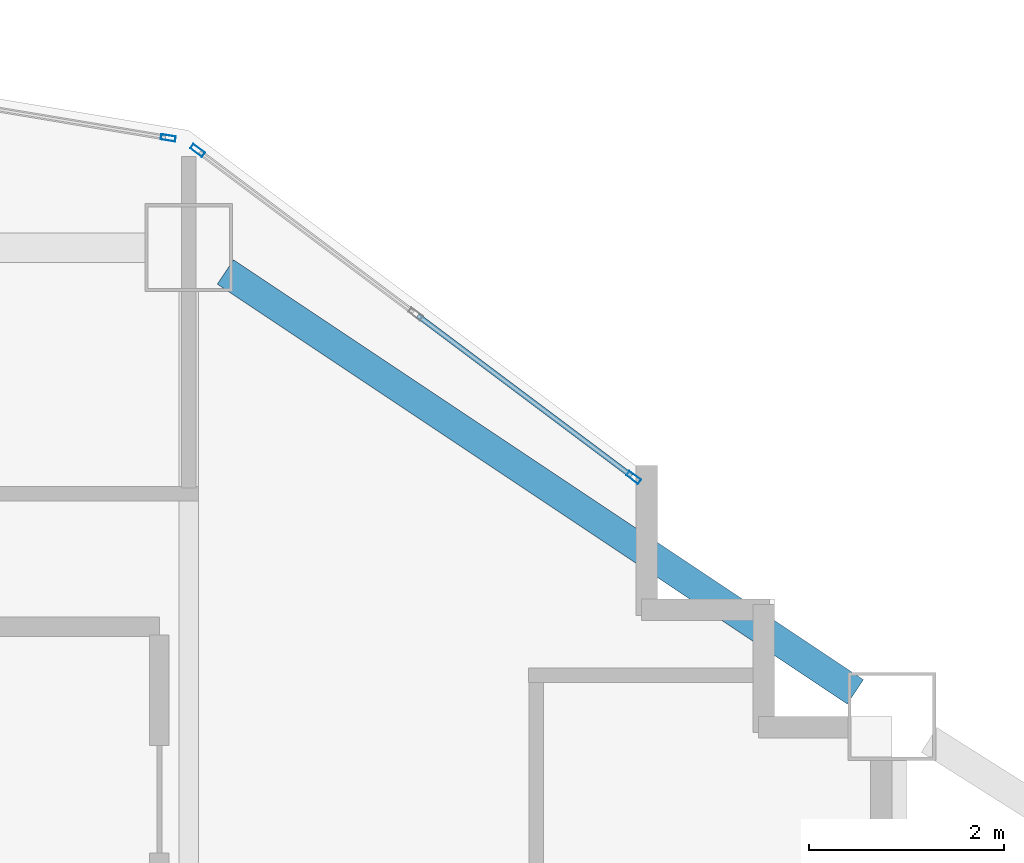
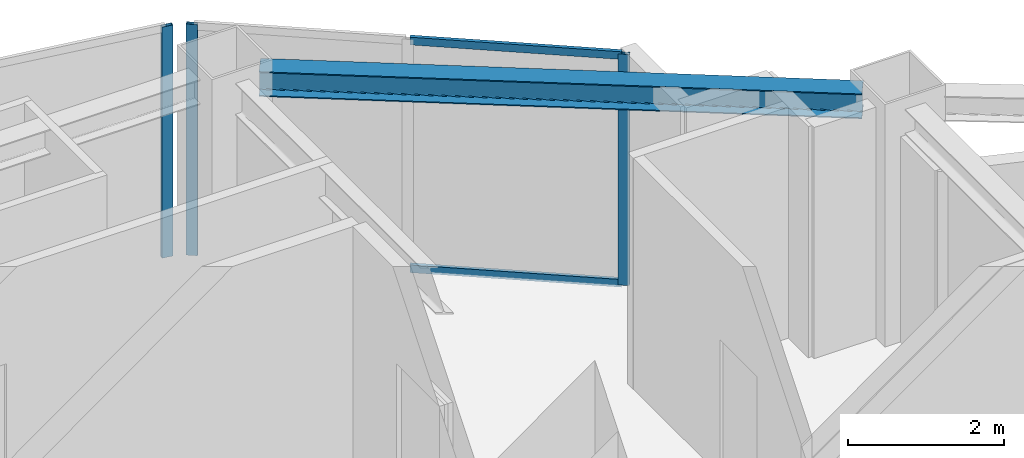
# One storey, part 3 of 11: 5 members, 1 beam, 2 elements without a shape of their own.
"""IFC4 building model written with IfcOpenShell, lengths in metres."""

from ifc_helpers import new_model, si_unit, direction, frame, origin, origin_2d, place, context, subcontext, project, spatial, hollow_rectangle, i_section, extrude, material, layer, layer_set, material_profile, profile_set, type_object, element, aggregate, save


model = new_model("IFC4")

# Units and contexts
model_context = context("Model", 3, precision=1e-05, world=origin(), true_north=direction((0.0, 1.0)))
body_context = subcontext(model_context, "Body", "Model", "MODEL_VIEW")
ifc_project = project(units=[si_unit("LENGTHUNIT", "METRE"), si_unit("AREAUNIT", "SQUARE_METRE"), si_unit("VOLUMEUNIT", "CUBIC_METRE"), si_unit("PLANEANGLEUNIT", "RADIAN"), si_unit("MASSUNIT", "GRAM", prefix="KILO")], contexts=[model_context])

# Site, building, storey
site_placement = place(None, origin())
site = spatial("IfcSite", under=ifc_project, at=site_placement, CompositionType="ELEMENT")
building_placement = place(site_placement, origin())
building = spatial("IfcBuilding", under=site, at=building_placement, Name="Haolan Belvedere Tower", CompositionType="ELEMENT")
storey_placement = place(building_placement, frame((0.0, 0.0, 215.39990234375)))
storey = spatial("IfcBuildingStorey", under=building, at=storey_placement, Name="L54", CompositionType="ELEMENT", Elevation=215.39990234375)

# Beam
ifc_material_1 = material(Name="Steel Q355B", Category="steel")
ifc_material_profile_1 = material_profile(ifc_material_1, i_section(OverallWidth=0.300048828125, OverallDepth=0.389892578125, WebThickness=0.010009765625, FlangeThickness=0.01611328125, FilletRadius=0.02197265625, at=origin_2d()), Name="Steel Q355B")
ifc_profile_set_1 = profile_set([ifc_material_profile_1], Name="Steel Q355B")
beam_type = type_object("IfcBeamType", Name="BM-HM390x300x10x16", PredefinedType="SPANDREL", material=ifc_profile_set_1)
beam_placement = place(storey_placement, frame((45.974365234375, 50.150390625, 3.425048828125), z_axis=(0.832050294338, -0.554700196225, 0.0), x_axis=(0.554700196225, 0.832050294338, 0.0)))
element("IfcBeam", 1, at=beam_placement, inside=storey, type_object=beam_type, Name="L54 spandrel girder MC-T3-N2-MC-T3-NE", PredefinedType="SPANDREL", context=body_context, shape_type="SweptSolid", body=[
    extrude(i_section(OverallWidth=0.300048828125, OverallDepth=0.389892578125, WebThickness=0.010009765625, FlangeThickness=0.01611328125, FilletRadius=0.02197265625, at=origin_2d()), origin(), (0.0, 0.0, 1.0), 7.75341796875),
])

# Curtain wall, members
ifc_material_2 = material(Name="Anodised champagne-silver aluminium 6063-T6 and Low-E glass", Category="aluminium")
ifc_layer = layer(ifc_material_2, 0.14990234375, Name="Anodised champagne-silver aluminium 6063-T6 and Low-E glass")
ifc_layer_set = layer_set([ifc_layer], Name="Anodised champagne-silver aluminium 6063-T6 and Low-E glass")
curtain_wall_type = type_object("IfcCurtainWallType", Name="CW-SYS-04", PredefinedType="NOTDEFINED", material=ifc_layer_set)
curtain_wall_1_placement = place(storey_placement, origin())
curtain_wall_1 = element("IfcCurtainWall", 2, at=curtain_wall_1_placement, inside=storey, type_object=curtain_wall_type, Name="L54 CW-SYS-04 ribbon curtain wall 20.1", PredefinedType="NOTDEFINED")
ifc_material_3 = material(Name="Anodised aluminium 6063-T6", Category="aluminium")
ifc_material_profile_2 = material_profile(ifc_material_3, hollow_rectangle(XDim=0.055908203125, YDim=0.14990234375, WallThickness=0.00390625, at=origin_2d()), Name="Anodised aluminium 6063-T6")
ifc_profile_set_2 = profile_set([ifc_material_profile_2], Name="Anodised aluminium 6063-T6")
member_type_1 = type_object("IfcMemberType", Name="CW-SYS-04-MUL", PredefinedType="MULLION", material=ifc_profile_set_2)
member_1_placement = place(storey_placement, frame((50.155517578125, 48.0458984375, 0.0), z_axis=(0.0, 0.0, 1.0), x_axis=(-0.600002837806, -0.799997871638, 0.0)))
member_1 = element("IfcMember", 3, at=member_1_placement, type_object=member_type_1, Name="CW-04 mullion 1", PredefinedType="MULLION", context=body_context, shape_type="SweptSolid", body=[
    extrude(hollow_rectangle(XDim=0.055908203125, YDim=0.14990234375, WallThickness=0.00390625, at=origin_2d()), origin(), (0.0, 0.0, 1.0), 3.6201171875),
])
member_2_placement = place(storey_placement, frame((45.68994140625, 51.39501953125, 0.0), z_axis=(0.0, 0.0, 1.0), x_axis=(-0.600002837806, -0.799997871638, 0.0)))
member_2 = element("IfcMember", 4, at=member_2_placement, type_object=member_type_1, Name="CW-04 mullion 3", PredefinedType="MULLION", context=body_context, shape_type="SweptSolid", body=[
    extrude(hollow_rectangle(XDim=0.055908203125, YDim=0.14990234375, WallThickness=0.00390625, at=origin_2d()), origin(), (0.0, 0.0, 1.0), 3.6201171875),
])

# Curtain wall, member
curtain_wall_2_placement = place(storey_placement, origin())
curtain_wall_2 = element("IfcCurtainWall", 5, at=curtain_wall_2_placement, inside=storey, type_object=curtain_wall_type, Name="L54 CW-SYS-04 ribbon curtain wall 21.1", PredefinedType="NOTDEFINED")
member_3_placement = place(storey_placement, frame((45.389892578125, 51.5234375, 0.0), z_axis=(0.0, 0.0, 1.0), x_axis=(-0.164405962825, -0.98639276122, 0.0)))
member_3 = element("IfcMember", 6, at=member_3_placement, type_object=member_type_1, Name="CW-04 mullion 1", PredefinedType="MULLION", context=body_context, shape_type="SweptSolid", body=[
    extrude(hollow_rectangle(XDim=0.055908203125, YDim=0.14990234375, WallThickness=0.00390625, at=origin_2d()), origin(), (0.0, 0.0, 1.0), 3.6201171875),
])
aggregate(curtain_wall_2, [member_3])

# Member
ifc_material_profile_3 = material_profile(ifc_material_3, hollow_rectangle(XDim=0.052001953125, YDim=0.1201171875, WallThickness=0.00390625, at=origin_2d()), Name="Anodised aluminium 6063-T6")
ifc_profile_set_3 = profile_set([ifc_material_profile_3], Name="Anodised aluminium 6063-T6")
member_type_2 = type_object("IfcMemberType", Name="CW-SYS-04-TRN", PredefinedType="USERDEFINED", material=ifc_profile_set_3)
member_4_placement = place(storey_placement, frame((50.13330078125, 48.0625, 0.026123046875), z_axis=(-0.800010710715, 0.59998571878, 0.0), x_axis=(-0.59998571878, -0.800010710715, 0.0)))
member_4 = element("IfcMember", 7, at=member_4_placement, type_object=member_type_2, Name="CW-04 transom 1.1", ObjectType="TRANSOM", PredefinedType="USERDEFINED", context=body_context, shape_type="SweptSolid", body=[
    extrude(hollow_rectangle(XDim=0.052001953125, YDim=0.1201171875, WallThickness=0.00390625, at=origin_2d()), origin(), (0.0, 0.0, 1.0), 2.7353515625),
])

member_5_placement = place(storey_placement, frame((50.13330078125, 48.0625, 3.593994140625), z_axis=(-0.800010710715, 0.59998571878, 0.0), x_axis=(-0.59998571878, -0.800010710715, 0.0)))
member_5 = element("IfcMember", 8, at=member_5_placement, type_object=member_type_2, Name="CW-04 transom 1.2", ObjectType="TRANSOM", PredefinedType="USERDEFINED", context=body_context, shape_type="SweptSolid", body=[
    extrude(hollow_rectangle(XDim=0.052001953125, YDim=0.1201171875, WallThickness=0.00390625, at=origin_2d()), origin(), (0.0, 0.0, 1.0), 2.7353515625),
])

aggregate(curtain_wall_1, [member_1, member_2, member_4, member_5])

save(model, "model.ifc")
